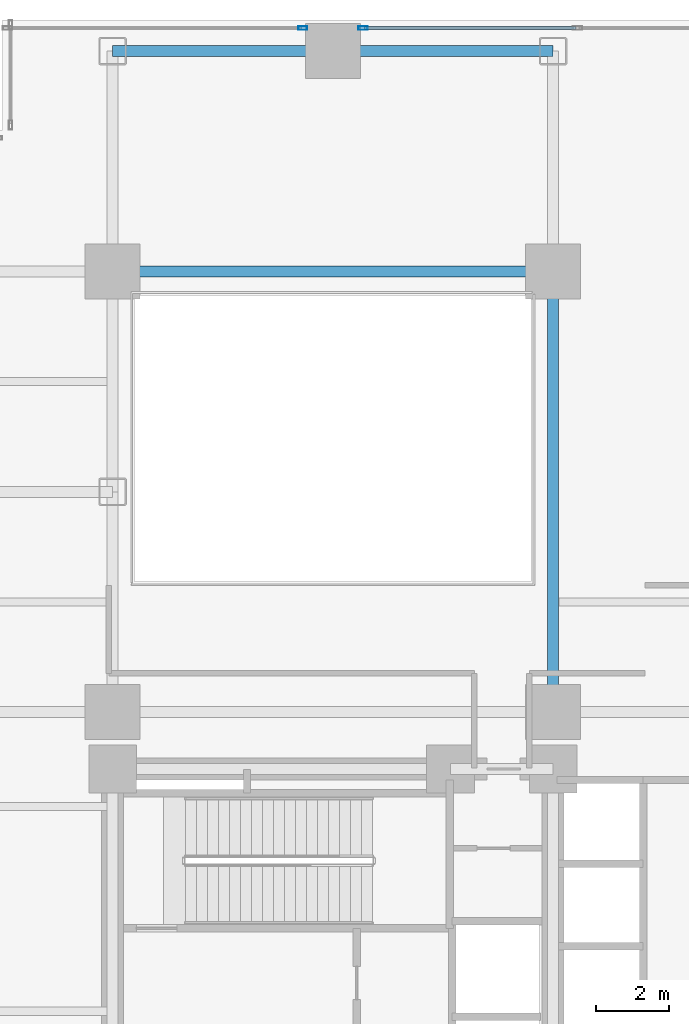
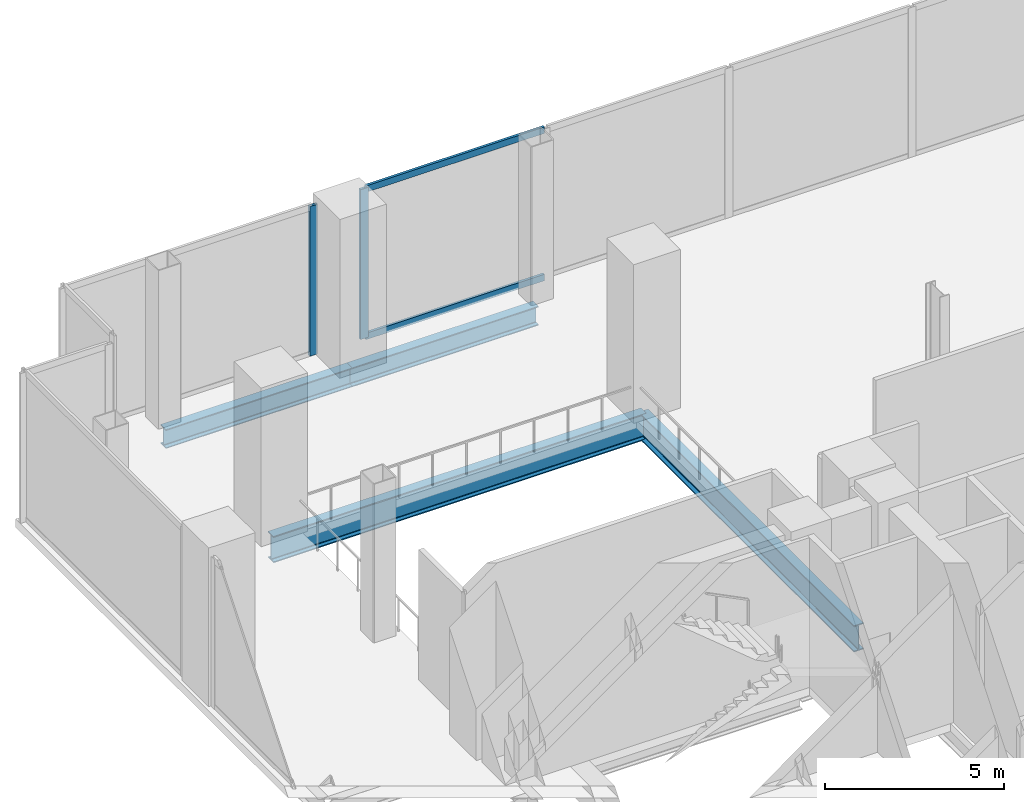
# One storey, part 14 of 28: 4 beams, 4 members, 2 elements without a shape of their own.
"""IFC4 building model written with IfcOpenShell, lengths in metres."""

from ifc_helpers import new_model, si_unit, direction, frame, origin, origin_2d, place, context, subcontext, project, spatial, hollow_rectangle, i_section, extrude, material, layer, layer_set, material_profile, profile_set, type_object, element, aggregate, save


model = new_model("IFC4")

# Units and contexts
model_context = context("Model", 3, precision=1e-05, world=origin(), true_north=direction((0.0, 1.0)))
body_context = subcontext(model_context, "Body", "Model", "MODEL_VIEW")
ifc_project = project(units=[si_unit("LENGTHUNIT", "METRE"), si_unit("AREAUNIT", "SQUARE_METRE"), si_unit("VOLUMEUNIT", "CUBIC_METRE"), si_unit("PLANEANGLEUNIT", "RADIAN"), si_unit("MASSUNIT", "GRAM", prefix="KILO"), si_unit("THERMODYNAMICTEMPERATUREUNIT", "KELVIN"), si_unit("POWERUNIT", "WATT")], contexts=[model_context])

# Site, building, storey
site_placement = place(None, origin())
site = spatial("IfcSite", under=ifc_project, at=site_placement, CompositionType="ELEMENT")
building_placement = place(site_placement, origin())
building = spatial("IfcBuilding", under=site, at=building_placement, Name="Svarakhadi Broadcast Tower", CompositionType="ELEMENT")
storey_placement = place(building_placement, frame((0.0, 0.0, 11.10009765625)))
storey = spatial("IfcBuildingStorey", under=building, at=storey_placement, Name="L02", CompositionType="ELEMENT", Elevation=11.10009765625)

# Curtain wall, member
ifc_material_1 = material(Name="Anodised Bronze Aluminium AA 6063-T6", Category="aluminium")
ifc_layer = layer(ifc_material_1, 0.25)
ifc_layer_set = layer_set([ifc_layer], Name="Anodised Bronze Aluminium AA 6063-T6")
curtain_wall_type = type_object("IfcCurtainWallType", Name="CW_Sys_01", PredefinedType="NOTDEFINED", material=ifc_layer_set)
curtain_wall_1_placement = place(storey_placement, origin())
curtain_wall_1 = element("IfcCurtainWall", 1, at=curtain_wall_1_placement, inside=storey, type_object=curtain_wall_type, Name="L02 Unitised Facade Curtain Wall 05 Bay 1", PredefinedType="NOTDEFINED")
ifc_material_profile_1 = material_profile(ifc_material_1, hollow_rectangle(XDim=0.094970703125, YDim=0.25, WallThickness=0.006103515625, at=origin_2d()), Name="ALU MULLION 250x95x6")
ifc_profile_set_1 = profile_set([ifc_material_profile_1], Name="Anodised Bronze Aluminium AA 6063-T6")
member_type_1 = type_object("IfcMemberType", Name="CW_Sys_01_Mul", PredefinedType="MULLION", material=ifc_profile_set_1)
member_1_placement = place(storey_placement, frame((11.1826171875, 47.780029296875, 0.0), z_axis=(0.0, 0.0, 1.0), x_axis=(0.0, 1.0, 0.0)))
member_1 = element("IfcMember", 2, at=member_1_placement, type_object=member_type_1, Name="CW-01 mullion 2", PredefinedType="MULLION", context=body_context, shape_type="SweptSolid", body=[
    extrude(hollow_rectangle(XDim=0.094970703125, YDim=0.25, WallThickness=0.006103515625, at=origin_2d()), origin(), (0.0, 0.0, 1.0), 5.099853515625),
])
aggregate(curtain_wall_1, [member_1])

# Curtain wall, members
curtain_wall_2_placement = place(storey_placement, origin())
curtain_wall_2 = element("IfcCurtainWall", 3, at=curtain_wall_2_placement, inside=storey, type_object=curtain_wall_type, Name="L02 Unitised Facade Curtain Wall 05 Bay 2", PredefinedType="NOTDEFINED")
member_2_placement = place(storey_placement, frame((12.8173828125, 47.780029296875, 0.0), z_axis=(0.0, 0.0, 1.0), x_axis=(0.0, 1.0, 0.0)))
member_2 = element("IfcMember", 4, at=member_2_placement, type_object=member_type_1, Name="CW-01 mullion 1", PredefinedType="MULLION", context=body_context, shape_type="SweptSolid", body=[
    extrude(hollow_rectangle(XDim=0.094970703125, YDim=0.25, WallThickness=0.006103515625, at=origin_2d()), origin(), (0.0, 0.0, 1.0), 5.099853515625),
])
ifc_material_profile_2 = material_profile(ifc_material_1, hollow_rectangle(XDim=0.0849609375, YDim=0.219970703125, WallThickness=0.0048828125, at=origin_2d()), Name="ALU TRANSOM 220x85x5")
ifc_profile_set_2 = profile_set([ifc_material_profile_2], Name="Anodised Bronze Aluminium AA 6063-T6")
member_type_2 = type_object("IfcMemberType", Name="CW_Sys_01_Trn", PredefinedType="USERDEFINED", material=ifc_profile_set_2)
member_3_placement = place(storey_placement, frame((12.864990234375, 47.780029296875, 0.04248046875), z_axis=(1.0, 0.0, 0.0), x_axis=(0.0, 1.0, 0.0)))
member_3 = element("IfcMember", 5, at=member_3_placement, type_object=member_type_2, Name="CW-01 transom 1.1", ObjectType="TRANSOM", PredefinedType="USERDEFINED", context=body_context, shape_type="SweptSolid", body=[
    extrude(hollow_rectangle(XDim=0.0849609375, YDim=0.219970703125, WallThickness=0.0048828125, at=origin_2d()), origin(), (0.0, 0.0, 1.0), 5.75),
])
member_4_placement = place(storey_placement, frame((12.864990234375, 47.780029296875, 5.057373046875), z_axis=(1.0, 0.0, 0.0), x_axis=(0.0, 1.0, 0.0)))
member_4 = element("IfcMember", 6, at=member_4_placement, type_object=member_type_2, Name="CW-01 transom 1.2", ObjectType="TRANSOM", PredefinedType="USERDEFINED", context=body_context, shape_type="SweptSolid", body=[
    extrude(hollow_rectangle(XDim=0.0849609375, YDim=0.219970703125, WallThickness=0.0048828125, at=origin_2d()), origin(), (0.0, 0.0, 1.0), 5.75),
])
aggregate(curtain_wall_2, [member_2, member_3, member_4])

# Beams
ifc_material_2 = material(Name="Steel S355J2 (IS 2062 E350C)", Category="steel")
ifc_material_profile_3 = material_profile(ifc_material_2, i_section(OverallWidth=0.300048828125, OverallDepth=0.64990234375, WebThickness=0.01611328125, FlangeThickness=0.031005859375, FilletRadius=0.027099609375, at=origin_2d()), Name="WPB 650x300x225")
ifc_profile_set_3 = profile_set([ifc_material_profile_3], Name="Steel S355J2 (IS 2062 E350C)")
beam_type_1 = type_object("IfcBeamType", Name="Girder_WPB650", PredefinedType="USERDEFINED", material=ifc_profile_set_3)
for number, where, z_axis, x_axis, name in (
    (7, (6.0, 47.14990234375, -0.60009765625), (1.0, 0.0, 0.0), (0.0, 1.0, 0.0), "L02 Primary E-W Girder G042"),
    (8, (12.0, 47.14990234375, -0.60009765625), (1.0, 0.0, 0.0), (0.0, 1.0, 0.0), "L02 Primary E-W Girder G043"),
):
    element("IfcBeam", number, at=place(storey_placement, frame(where, z_axis=z_axis, x_axis=x_axis)), inside=storey, type_object=beam_type_1, Name=name, ObjectType="GIRDER", PredefinedType="USERDEFINED", context=body_context, shape_type="SweptSolid", body=[
        extrude(i_section(OverallWidth=0.300048828125, OverallDepth=0.64990234375, WebThickness=0.01611328125, FlangeThickness=0.031005859375, FilletRadius=0.027099609375, at=origin_2d()), origin(), (0.0, 0.0, 1.0), 6.0),
    ])
ifc_material_3 = material(Name="Steel S460ML (IS 2062 E450BR)", Category="steel")
ifc_material_profile_4 = material_profile(ifc_material_3, i_section(OverallWidth=0.300048828125, OverallDepth=0.89990234375, WebThickness=0.0185546875, FlangeThickness=0.034912109375, FilletRadius=0.030029296875, at=origin_2d()), Name="WPB 900x300x291")
ifc_profile_set_4 = profile_set([ifc_material_profile_4], Name="Steel S460ML (IS 2062 E450BR)")
beam_type_2 = type_object("IfcBeamType", Name="Girder_WPB900", PredefinedType="USERDEFINED", material=ifc_profile_set_4)
for number, where, z_axis, x_axis, name in (
    (9, (6.0, 41.14990234375, -0.72509765625), (1.0, 0.0, 0.0), (0.0, 1.0, 0.0), "L02 Primary E-W Girder G041"),
    (10, (18.0, 29.14990234375, -0.72509765625), (0.0, 1.0, 0.0), (-1.0, 0.0, 0.0), "L02 Primary N-S Girder G062"),
):
    element("IfcBeam", number, at=place(storey_placement, frame(where, z_axis=z_axis, x_axis=x_axis)), inside=storey, type_object=beam_type_2, Name=name, ObjectType="GIRDER", PredefinedType="USERDEFINED", context=body_context, shape_type="SweptSolid", body=[
        extrude(i_section(OverallWidth=0.300048828125, OverallDepth=0.89990234375, WebThickness=0.0185546875, FlangeThickness=0.034912109375, FilletRadius=0.030029296875, at=origin_2d()), origin(), (0.0, 0.0, 1.0), 12.0),
    ])

save(model, "model.ifc")
